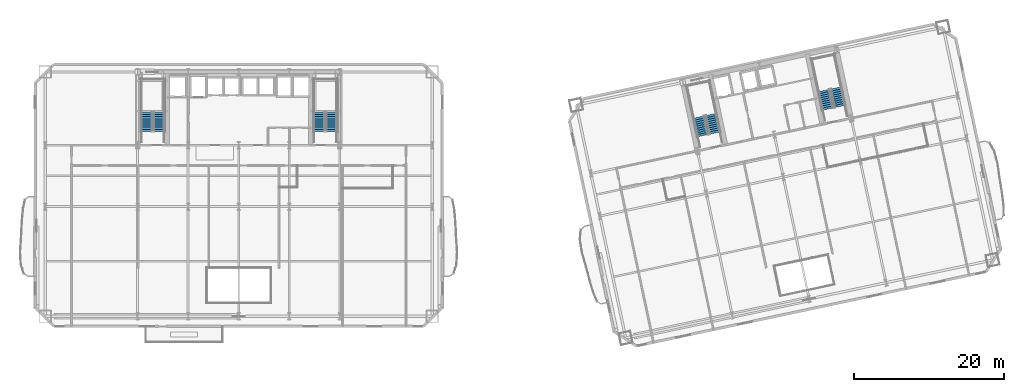
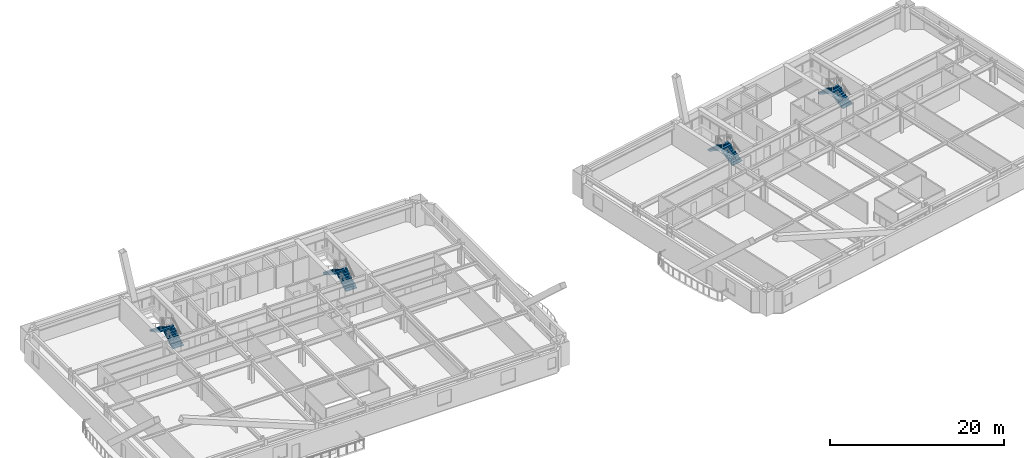
# One storey, part 10 of 17: 8 stair flights, 4 elements without a shape of their own.
"""IFC4 building model written with IfcOpenShell, lengths in metres."""

from ifc_helpers import new_model, si_unit, direction, frame, origin, place, context, subcontext, project, spatial, polyline, outline, extrude, material, type_object, element, aggregate, save


model = new_model("IFC4")

# Units and contexts
model_context = context("Model", 3, precision=1e-05, world=origin(), true_north=direction((0.0, 1.0)))
body_context = subcontext(model_context, "Body", "Model", "MODEL_VIEW")
ifc_project = project(units=[si_unit("LENGTHUNIT", "METRE"), si_unit("AREAUNIT", "SQUARE_METRE"), si_unit("VOLUMEUNIT", "CUBIC_METRE"), si_unit("PLANEANGLEUNIT", "RADIAN"), si_unit("MASSUNIT", "GRAM", prefix="KILO")], contexts=[model_context])

# Site, building, storey
site_placement = place(None, origin())
site = spatial("IfcSite", under=ifc_project, at=site_placement, CompositionType="ELEMENT")
building_placement = place(site_placement, origin())
building = spatial("IfcBuilding", under=site, at=building_placement, Name="Haevon Station Towers", CompositionType="ELEMENT")
storey_placement = place(building_placement, frame((0.0, 0.0, 40.5)))
storey = spatial("IfcBuildingStorey", under=building, at=storey_placement, Name="L09", CompositionType="ELEMENT", Elevation=40.5)

# Stair, stair flights
ifc_material = material(Name="Concrete C40/50", Category="concrete")
stair_type = type_object("IfcStairType", Name="STR-DL1450", PredefinedType="USERDEFINED", material=ifc_material)
stair_1_placement = place(storey_placement, origin())
stair_1 = element("IfcStair", 1, at=stair_1_placement, inside=storey, type_object=stair_type, Name="L09 Escape Stair ST1", ObjectType="TWO_RETURN_STAIR", PredefinedType="USERDEFINED")
stair_flight_type = type_object("IfcStairFlightType", Name="STF-ST1450", PredefinedType="STRAIGHT", material=ifc_material)
stair_flight_1_placement = place(storey_placement, frame((26.85498046875, 40.050048828125, 0.0), z_axis=(0.0, 0.0, 1.0), x_axis=(0.0, 1.0, 0.0)))
stair_flight_1 = element("IfcStairFlight", 2, at=stair_flight_1_placement, type_object=stair_flight_type, Name="L09 ST1 Flight 1", NumberOfRisers=10, NumberOfTreads=9, PredefinedType="STRAIGHT", RiserHeight=0.165, TreadLength=0.28, context=body_context, shape_type="SweptSolid", body=[
    extrude(outline(polyline([(0.0, 0.0), (0.0, 0.1650390625), (0.280029296875, 0.1650390625), (0.280029296875, 0.330078125), (0.56005859375, 0.330078125), (0.56005859375, 0.4951171875), (0.840087890625, 0.4951171875), (0.840087890625, 0.659912109375), (1.1201171875, 0.659912109375), (1.1201171875, 0.824951171875), (1.39990234375, 0.824951171875), (1.39990234375, 0.989990234375), (1.679931640625, 0.989990234375), (1.679931640625, 1.155029296875), (1.9599609375, 1.155029296875), (1.9599609375, 1.320068359375), (2.239990234375, 1.320068359375), (2.239990234375, 1.485107421875), (2.52001953125, 1.485107421875), (2.52001953125, 1.64990234375), (2.52001953125, 1.29931640625), (0.31494140625, 0.0), (0.0, 0.0)])), frame((0.0, 0.72509765625, 0.0), z_axis=(0.0, -1.0, 0.0), x_axis=(1.0, 0.0, 0.0)), (0.0, 0.0, 1.0), 1.449951171875),
])
stair_flight_2_placement = place(storey_placement, frame((25.205078125, 42.570068359375, 1.64990234375), z_axis=(0.0, 0.0, 1.0), x_axis=(0.0, -1.0, 0.0)))
stair_flight_2 = element("IfcStairFlight", 3, at=stair_flight_2_placement, type_object=stair_flight_type, Name="L09 ST1 Flight 2", NumberOfRisers=10, NumberOfTreads=9, PredefinedType="STRAIGHT", RiserHeight=0.165, TreadLength=0.28, context=body_context, shape_type="SweptSolid", body=[
    extrude(outline(polyline([(0.0, 0.0), (0.0, 0.1650390625), (0.280029296875, 0.1650390625), (0.280029296875, 0.330078125), (0.56005859375, 0.330078125), (0.56005859375, 0.4951171875), (0.840087890625, 0.4951171875), (0.840087890625, 0.659912109375), (1.1201171875, 0.659912109375), (1.1201171875, 0.824951171875), (1.39990234375, 0.824951171875), (1.39990234375, 0.989990234375), (1.679931640625, 0.989990234375), (1.679931640625, 1.155029296875), (1.9599609375, 1.155029296875), (1.9599609375, 1.320068359375), (2.239990234375, 1.320068359375), (2.239990234375, 1.485107421875), (2.52001953125, 1.485107421875), (2.52001953125, 1.64990234375), (2.52001953125, 1.29931640625), (0.31494140625, 0.0), (0.0, 0.0)])), frame((0.0, 0.72509765625, 0.0), z_axis=(0.0, -1.0, 0.0), x_axis=(1.0, 0.0, 0.0)), (0.0, 0.0, 1.0), 1.449951171875),
])
aggregate(stair_1, [stair_flight_1, stair_flight_2])

stair_2_placement = place(storey_placement, origin())
stair_2 = element("IfcStair", 4, at=stair_2_placement, inside=storey, type_object=stair_type, Name="L09 Escape Stair ST2", ObjectType="TWO_RETURN_STAIR", PredefinedType="USERDEFINED")
stair_flight_3_placement = place(storey_placement, frame((49.89501953125, 40.050048828125, 0.0), z_axis=(0.0, 0.0, 1.0), x_axis=(0.0, 1.0, 0.0)))
stair_flight_3 = element("IfcStairFlight", 5, at=stair_flight_3_placement, type_object=stair_flight_type, Name="L09 ST2 Flight 1", NumberOfRisers=10, NumberOfTreads=9, PredefinedType="STRAIGHT", RiserHeight=0.165, TreadLength=0.28, context=body_context, shape_type="SweptSolid", body=[
    extrude(outline(polyline([(0.0, 0.0), (0.0, 0.1650390625), (0.280029296875, 0.1650390625), (0.280029296875, 0.330078125), (0.56005859375, 0.330078125), (0.56005859375, 0.4951171875), (0.840087890625, 0.4951171875), (0.840087890625, 0.659912109375), (1.1201171875, 0.659912109375), (1.1201171875, 0.824951171875), (1.39990234375, 0.824951171875), (1.39990234375, 0.989990234375), (1.679931640625, 0.989990234375), (1.679931640625, 1.155029296875), (1.9599609375, 1.155029296875), (1.9599609375, 1.320068359375), (2.239990234375, 1.320068359375), (2.239990234375, 1.485107421875), (2.52001953125, 1.485107421875), (2.52001953125, 1.64990234375), (2.52001953125, 1.29931640625), (0.31494140625, 0.0), (0.0, 0.0)])), frame((0.0, 0.72509765625, 0.0), z_axis=(0.0, -1.0, 0.0), x_axis=(1.0, 0.0, 0.0)), (0.0, 0.0, 1.0), 1.449951171875),
])
stair_flight_4_placement = place(storey_placement, frame((48.2451171875, 42.570068359375, 1.64990234375), z_axis=(0.0, 0.0, 1.0), x_axis=(0.0, -1.0, 0.0)))
stair_flight_4 = element("IfcStairFlight", 6, at=stair_flight_4_placement, type_object=stair_flight_type, Name="L09 ST2 Flight 2", NumberOfRisers=10, NumberOfTreads=9, PredefinedType="STRAIGHT", RiserHeight=0.165, TreadLength=0.28, context=body_context, shape_type="SweptSolid", body=[
    extrude(outline(polyline([(0.0, 0.0), (0.0, 0.1650390625), (0.280029296875, 0.1650390625), (0.280029296875, 0.330078125), (0.56005859375, 0.330078125), (0.56005859375, 0.4951171875), (0.840087890625, 0.4951171875), (0.840087890625, 0.659912109375), (1.1201171875, 0.659912109375), (1.1201171875, 0.824951171875), (1.39990234375, 0.824951171875), (1.39990234375, 0.989990234375), (1.679931640625, 0.989990234375), (1.679931640625, 1.155029296875), (1.9599609375, 1.155029296875), (1.9599609375, 1.320068359375), (2.239990234375, 1.320068359375), (2.239990234375, 1.485107421875), (2.52001953125, 1.485107421875), (2.52001953125, 1.64990234375), (2.52001953125, 1.29931640625), (0.31494140625, 0.0), (0.0, 0.0)])), frame((0.0, 0.72509765625, 0.0), z_axis=(0.0, -1.0, 0.0), x_axis=(1.0, 0.0, 0.0)), (0.0, 0.0, 1.0), 1.449951171875),
])
aggregate(stair_2, [stair_flight_3, stair_flight_4])

stair_3_placement = place(storey_placement, origin())
stair_3 = element("IfcStair", 7, at=stair_3_placement, inside=storey, type_object=stair_type, Name="L09 Escape Stair ST3", ObjectType="TWO_RETURN_STAIR", PredefinedType="USERDEFINED")
stair_flight_5_placement = place(storey_placement, frame((101.1015625, 39.8330078125, 0.0), z_axis=(0.0, 0.0, 1.0), x_axis=(-0.207911690818, 0.978147600734, 0.0)))
stair_flight_5 = element("IfcStairFlight", 8, at=stair_flight_5_placement, type_object=stair_flight_type, Name="L09 ST3 Flight 1", NumberOfRisers=10, NumberOfTreads=9, PredefinedType="STRAIGHT", RiserHeight=0.165, TreadLength=0.28, context=body_context, shape_type="SweptSolid", body=[
    extrude(outline(polyline([(0.0, 0.0), (0.0, 0.1650390625), (0.280029296875, 0.1650390625), (0.280029296875, 0.330078125), (0.56005859375, 0.330078125), (0.56005859375, 0.4951171875), (0.840087890625, 0.4951171875), (0.840087890625, 0.659912109375), (1.1201171875, 0.659912109375), (1.1201171875, 0.824951171875), (1.39990234375, 0.824951171875), (1.39990234375, 0.989990234375), (1.679931640625, 0.989990234375), (1.679931640625, 1.155029296875), (1.9599609375, 1.155029296875), (1.9599609375, 1.320068359375), (2.239990234375, 1.320068359375), (2.239990234375, 1.485107421875), (2.52001953125, 1.485107421875), (2.52001953125, 1.64990234375), (2.52001953125, 1.29931640625), (0.31494140625, 0.0), (0.0, 0.0)])), frame((0.0, 0.72509765625, 0.0), z_axis=(0.0, -1.0, 0.0), x_axis=(1.0, 0.0, 0.0)), (0.0, 0.0, 1.0), 1.449951171875),
])
stair_flight_6_placement = place(storey_placement, frame((98.9638671875, 41.955078125, 1.64990234375), z_axis=(0.0, 0.0, 1.0), x_axis=(0.207911690818, -0.978147600734, 0.0)))
stair_flight_6 = element("IfcStairFlight", 9, at=stair_flight_6_placement, type_object=stair_flight_type, Name="L09 ST3 Flight 2", NumberOfRisers=10, NumberOfTreads=9, PredefinedType="STRAIGHT", RiserHeight=0.165, TreadLength=0.28, context=body_context, shape_type="SweptSolid", body=[
    extrude(outline(polyline([(0.0, 0.0), (0.0, 0.1650390625), (0.280029296875, 0.1650390625), (0.280029296875, 0.330078125), (0.56005859375, 0.330078125), (0.56005859375, 0.4951171875), (0.840087890625, 0.4951171875), (0.840087890625, 0.659912109375), (1.1201171875, 0.659912109375), (1.1201171875, 0.824951171875), (1.39990234375, 0.824951171875), (1.39990234375, 0.989990234375), (1.679931640625, 0.989990234375), (1.679931640625, 1.155029296875), (1.9599609375, 1.155029296875), (1.9599609375, 1.320068359375), (2.239990234375, 1.320068359375), (2.239990234375, 1.485107421875), (2.52001953125, 1.485107421875), (2.52001953125, 1.64990234375), (2.52001953125, 1.29931640625), (0.31494140625, 0.0), (0.0, 0.0)])), frame((0.0, 0.72509765625, 0.0), z_axis=(0.0, -1.0, 0.0), x_axis=(1.0, 0.0, 0.0)), (0.0, 0.0, 1.0), 1.449951171875),
])
aggregate(stair_3, [stair_flight_5, stair_flight_6])

stair_4_placement = place(storey_placement, origin())
stair_4 = element("IfcStair", 10, at=stair_4_placement, inside=storey, type_object=stair_type, Name="L09 Escape Stair ST4", ObjectType="TWO_RETURN_STAIR", PredefinedType="USERDEFINED")
stair_flight_7_placement = place(storey_placement, frame((117.788818359375, 43.380126953125, 0.0), z_axis=(0.0, 0.0, 1.0), x_axis=(-0.207911690818, 0.978147600734, 0.0)))
stair_flight_7 = element("IfcStairFlight", 11, at=stair_flight_7_placement, type_object=stair_flight_type, Name="L09 ST4 Flight 1", NumberOfRisers=10, NumberOfTreads=9, PredefinedType="STRAIGHT", RiserHeight=0.165, TreadLength=0.28, context=body_context, shape_type="SweptSolid", body=[
    extrude(outline(polyline([(0.0, 0.0), (0.0, 0.1650390625), (0.280029296875, 0.1650390625), (0.280029296875, 0.330078125), (0.56005859375, 0.330078125), (0.56005859375, 0.4951171875), (0.840087890625, 0.4951171875), (0.840087890625, 0.659912109375), (1.1201171875, 0.659912109375), (1.1201171875, 0.824951171875), (1.39990234375, 0.824951171875), (1.39990234375, 0.989990234375), (1.679931640625, 0.989990234375), (1.679931640625, 1.155029296875), (1.9599609375, 1.155029296875), (1.9599609375, 1.320068359375), (2.239990234375, 1.320068359375), (2.239990234375, 1.485107421875), (2.52001953125, 1.485107421875), (2.52001953125, 1.64990234375), (2.52001953125, 1.29931640625), (0.31494140625, 0.0), (0.0, 0.0)])), frame((0.0, 0.72509765625, 0.0), z_axis=(0.0, -1.0, 0.0), x_axis=(1.0, 0.0, 0.0)), (0.0, 0.0, 1.0), 1.449951171875),
])
stair_flight_8_placement = place(storey_placement, frame((115.65087890625, 45.501953125, 1.64990234375), z_axis=(0.0, 0.0, 1.0), x_axis=(0.207911690818, -0.978147600734, 0.0)))
stair_flight_8 = element("IfcStairFlight", 12, at=stair_flight_8_placement, type_object=stair_flight_type, Name="L09 ST4 Flight 2", NumberOfRisers=10, NumberOfTreads=9, PredefinedType="STRAIGHT", RiserHeight=0.165, TreadLength=0.28, context=body_context, shape_type="SweptSolid", body=[
    extrude(outline(polyline([(0.0, 0.0), (0.0, 0.1650390625), (0.280029296875, 0.1650390625), (0.280029296875, 0.330078125), (0.56005859375, 0.330078125), (0.56005859375, 0.4951171875), (0.840087890625, 0.4951171875), (0.840087890625, 0.659912109375), (1.1201171875, 0.659912109375), (1.1201171875, 0.824951171875), (1.39990234375, 0.824951171875), (1.39990234375, 0.989990234375), (1.679931640625, 0.989990234375), (1.679931640625, 1.155029296875), (1.9599609375, 1.155029296875), (1.9599609375, 1.320068359375), (2.239990234375, 1.320068359375), (2.239990234375, 1.485107421875), (2.52001953125, 1.485107421875), (2.52001953125, 1.64990234375), (2.52001953125, 1.29931640625), (0.31494140625, 0.0), (0.0, 0.0)])), frame((0.0, 0.72509765625, 0.0), z_axis=(0.0, -1.0, 0.0), x_axis=(1.0, 0.0, 0.0)), (0.0, 0.0, 1.0), 1.449951171875),
])
aggregate(stair_4, [stair_flight_7, stair_flight_8])

save(model, "model.ifc")
